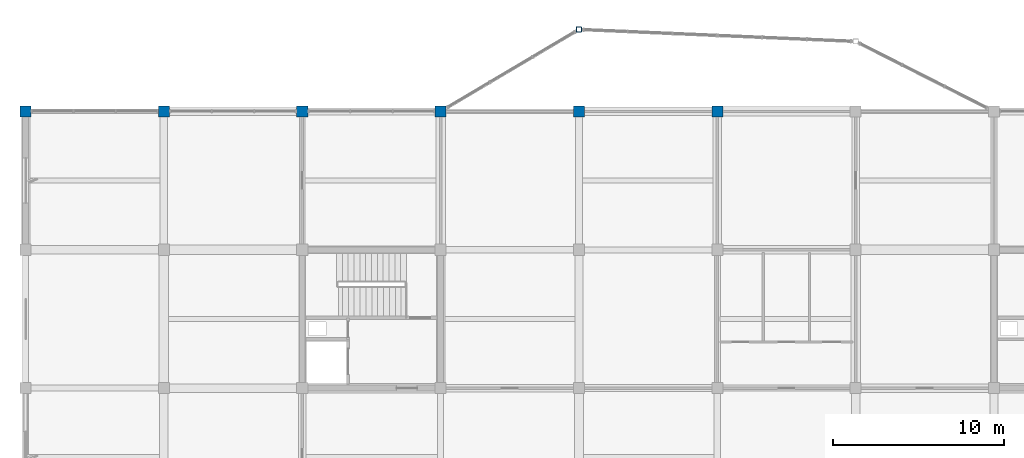
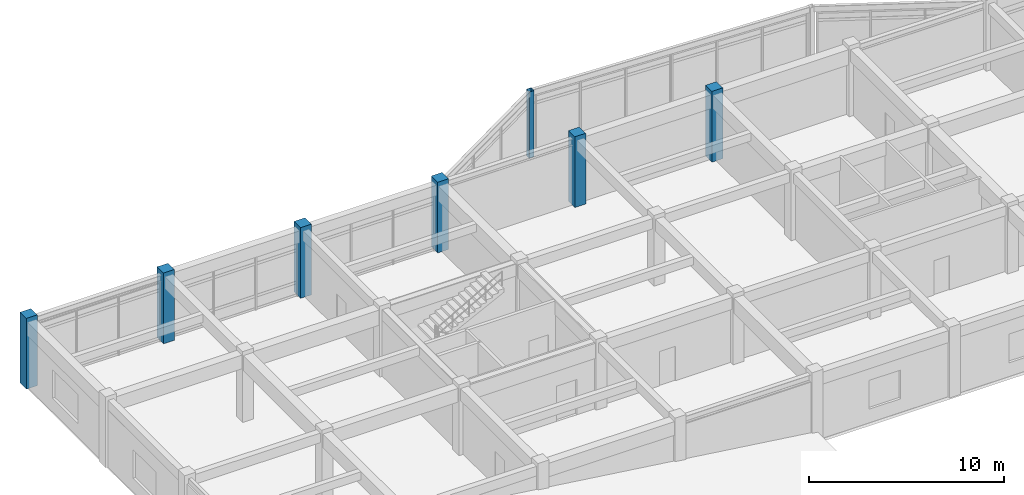
# One storey, part 10 of 70: 7 columns.
"""IFC4 building model written with IfcOpenShell, lengths in metres."""

from ifc_helpers import new_model, si_unit, direction, frame, origin, origin_2d, place, context, subcontext, project, spatial, rectangle, hollow_rectangle, extrude, material, material_profile, profile_set, type_object, element, save


model = new_model("IFC4")

# Units and contexts
model_context = context("Model", 3, precision=1e-05, world=origin(), true_north=direction((0.0, 1.0)))
body_context = subcontext(model_context, "Body", "Model", "MODEL_VIEW")
ifc_project = project(units=[si_unit("LENGTHUNIT", "METRE"), si_unit("AREAUNIT", "SQUARE_METRE"), si_unit("VOLUMEUNIT", "CUBIC_METRE"), si_unit("PLANEANGLEUNIT", "RADIAN"), si_unit("MASSUNIT", "GRAM", prefix="KILO")], contexts=[model_context])

# Site, building, storey
site_placement = place(None, origin())
site = spatial("IfcSite", under=ifc_project, at=site_placement, CompositionType="ELEMENT")
building_placement = place(site_placement, origin())
building = spatial("IfcBuilding", under=site, at=building_placement, Name="Vaudrelin Polytechnic", CompositionType="ELEMENT")
storey_placement = place(building_placement, frame((0.0, 0.0, 14.110107421875)))
storey = spatial("IfcBuildingStorey", under=building, at=storey_placement, Name="L03", CompositionType="ELEMENT", Elevation=14.110107421875)

# Columns
ifc_material_1 = material(Name="Steel CSA G40.21 350WT", Category="steel")
ifc_material_profile_1 = material_profile(ifc_material_1, hollow_rectangle(XDim=0.304931640625, YDim=0.304931640625, WallThickness=0.0126953125, InnerFilletRadius=0.0126953125, OuterFilletRadius=0.025390625, at=origin_2d()), Name="HSS305x305x12.7")
ifc_profile_set_1 = profile_set([ifc_material_profile_1], Name="Steel CSA G40.21 350WT")
column_type_1 = type_object("IfcColumnType", Name="COL-C-HSS305", PredefinedType="COLUMN", material=ifc_profile_set_1)
column_placement = place(storey_placement, frame((32.39990234375, 126.300048828125, 0.0), z_axis=(0.0, 0.0, 1.0), x_axis=(1.0, 0.0, 0.0)))
element("IfcColumn", 1, at=column_placement, inside=storey, type_object=column_type_1, Name="Deconstructivist column L03 N_OR1_1", PredefinedType="COLUMN", context=body_context, shape_type="SweptSolid", body=[
    extrude(hollow_rectangle(XDim=0.304931640625, YDim=0.304931640625, WallThickness=0.0126953125, InnerFilletRadius=0.0126953125, OuterFilletRadius=0.025390625, at=origin_2d()), origin(), (0.0, 0.0, 1.0), 4.139892578125),
])
ifc_material_2 = material(Name="Concrete 40 MPa", Category="concrete")
ifc_material_profile_2 = material_profile(ifc_material_2, rectangle(XDim=0.64990234375, YDim=0.64990234375, at=origin_2d()), Name="RC650x650")
ifc_profile_set_2 = profile_set([ifc_material_profile_2], Name="Concrete 40 MPa")
column_type_2 = type_object("IfcColumnType", Name="COL-C-RC650", PredefinedType="COLUMN", material=ifc_profile_set_2)
for number, where, z_axis, x_axis, name in (
    (2, (0.0, 121.5, 0.0), (0.0, 0.0, 1.0), (1.0, 0.0, 0.0), "Column L03 1-16"),
    (3, (8.10009765625, 121.5, 0.0), (0.0, 0.0, 1.0), (1.0, 0.0, 0.0), "Column L03 2-16"),
    (4, (16.199951171875, 121.5, 0.0), (0.0, 0.0, 1.0), (1.0, 0.0, 0.0), "Column L03 3-16"),
    (5, (24.300048828125, 121.5, 0.0), (0.0, 0.0, 1.0), (1.0, 0.0, 0.0), "Column L03 4-16"),
    (6, (32.39990234375, 121.5, 0.0), (0.0, 0.0, 1.0), (1.0, 0.0, 0.0), "Column L03 5-16"),
    (7, (40.5, 121.5, 0.0), (0.0, 0.0, 1.0), (1.0, 0.0, 0.0), "Column L03 6-16"),
):
    element("IfcColumn", number, at=place(storey_placement, frame(where, z_axis=z_axis, x_axis=x_axis)), inside=storey, type_object=column_type_2, Name=name, PredefinedType="COLUMN", context=body_context, shape_type="SweptSolid", body=[
        extrude(rectangle(XDim=0.64990234375, YDim=0.64990234375, at=origin_2d()), origin(), (0.0, 0.0, 1.0), 4.419921875),
    ])

save(model, "model.ifc")
